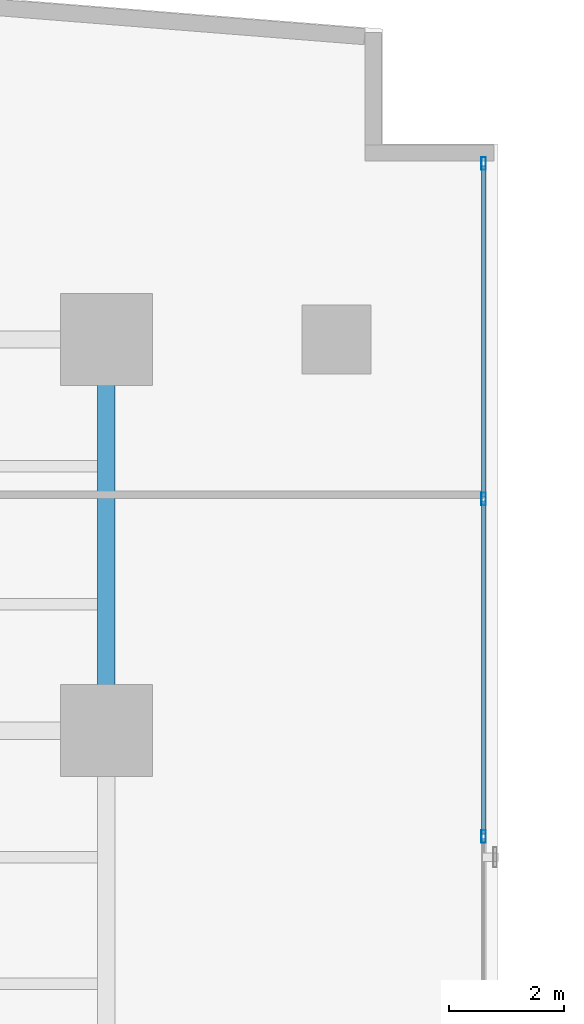
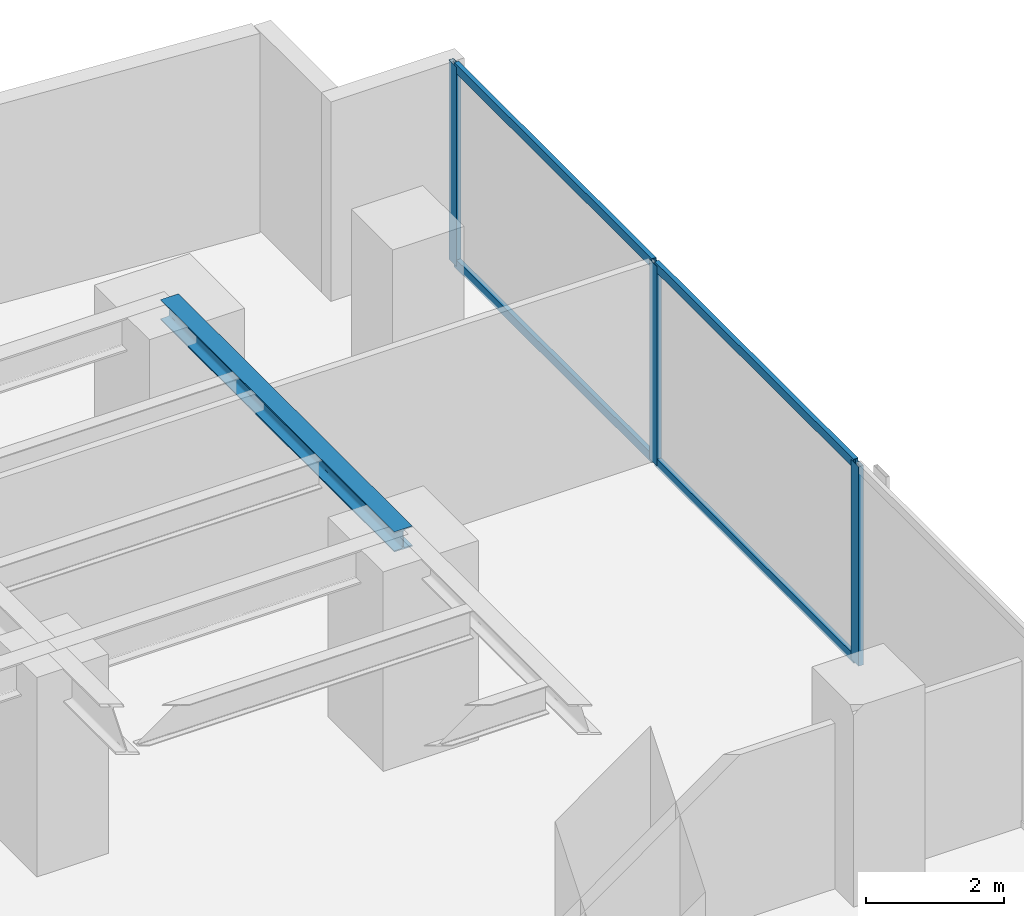
# One storey, part 19 of 31: 7 members, 1 beam, 1 element without a shape of its own.
"""IFC4 building model written with IfcOpenShell, lengths in metres."""

from ifc_helpers import new_model, si_unit, direction, frame, origin, origin_with_axes, origin_2d, place, context, subcontext, project, spatial, hollow_rectangle, i_section, extrude, source, transform, mapped, material, layer, layer_set, material_profile, profile_set, type_object, element, aggregate, save


model = new_model("IFC4")

# Units and contexts
model_context = context("Model", 3, precision=1e-05, world=origin(), true_north=direction((0.0, 1.0)))
body_context = subcontext(model_context, "Body", "Model", "MODEL_VIEW")
ifc_project = project(units=[si_unit("LENGTHUNIT", "METRE"), si_unit("AREAUNIT", "SQUARE_METRE"), si_unit("VOLUMEUNIT", "CUBIC_METRE"), si_unit("PLANEANGLEUNIT", "RADIAN"), si_unit("MASSUNIT", "GRAM", prefix="KILO")], contexts=[model_context])

# Site, building, storey
site_placement = place(None, origin())
site = spatial("IfcSite", under=ifc_project, at=site_placement, CompositionType="ELEMENT")
building_placement = place(site_placement, origin())
building = spatial("IfcBuilding", under=site, at=building_placement, Name="Kolvaren Waterfront Exchange", CompositionType="ELEMENT")
storey_placement = place(building_placement, frame((0.0, 0.0, 67.60009765625)))
storey = spatial("IfcBuildingStorey", under=building, at=storey_placement, Name="L17", CompositionType="ELEMENT", Elevation=67.60009765625)

# Beam
ifc_material_1 = material(Name="Steel S355", Category="steel")
ifc_material_profile_1 = material_profile(ifc_material_1, i_section(OverallWidth=0.300048828125, OverallDepth=0.360107421875, WebThickness=0.012451171875, FlangeThickness=0.0224609375, FilletRadius=0.027099609375, at=origin_2d()), Name="HEB360")
ifc_profile_set_1 = profile_set([ifc_material_profile_1], Name="Steel S355")
beam_type = type_object("IfcBeamType", Name="STR-BM-HEB360", PredefinedType="SPANDREL", material=ifc_profile_set_1)
beam_placement = place(storey_placement, frame((18.800048828125, 37.800048828125, 3.35986328125), z_axis=(0.0, 1.0, 0.0), x_axis=(-1.0, 0.0, 0.0)))
element("IfcBeam", 1, at=beam_placement, inside=storey, type_object=beam_type, Name="L17 north-arm edge beam 3", PredefinedType="SPANDREL", context=body_context, shape_type="SweptSolid", body=[
    extrude(i_section(OverallWidth=0.300048828125, OverallDepth=0.360107421875, WebThickness=0.012451171875, FlangeThickness=0.0224609375, FilletRadius=0.027099609375, at=origin_2d()), origin(), (0.0, 0.0, 1.0), 6.800048828125),
])

# Curtain wall, members
ifc_material_2 = material(Name="Anodised bronze aluminium 6063-T6", Category="aluminium")
ifc_layer = layer(ifc_material_2, 0.219970703125, Name="Anodised bronze aluminium 6063-T6")
ifc_layer_set = layer_set([ifc_layer], Name="Anodised bronze aluminium 6063-T6")
curtain_wall_type = type_object("IfcCurtainWallType", Name="ARC-CW-SYS1", PredefinedType="USERDEFINED", material=ifc_layer_set)
curtain_wall_placement = place(storey_placement, origin())
curtain_wall = element("IfcCurtainWall", 2, at=curtain_wall_placement, inside=storey, type_object=curtain_wall_type, Name="L17 stick curtain wall CW1 (CW-L17-NE)", ObjectType="STICK CURTAIN WALL", PredefinedType="USERDEFINED")
ifc_material_3 = material(Name="Anodised aluminium 6063-T6", Category="aluminium")
ifc_material_profile_2 = material_profile(ifc_material_3, hollow_rectangle(XDim=0.080078125, YDim=0.219970703125, WallThickness=0.0048828125, at=origin_2d()), Name="ALU-MUL-220x80x5")
ifc_profile_set_2 = profile_set([ifc_material_profile_2], Name="Anodised aluminium 6063-T6")
member_type_1 = type_object("IfcMemberType", Name="ARC-CWM-220", PredefinedType="MULLION", material=ifc_profile_set_2)
shared_shape_1 = source(origin_with_axes(), body_context, "Body", "SweptSolid", [
    extrude(hollow_rectangle(XDim=0.080078125, YDim=0.219970703125, WallThickness=0.0048828125, at=origin_2d()), origin(), (0.0, 0.0, 1.0), 3.539794921875),
])
member_1_placement = place(storey_placement, frame((25.360107421875, 35.9599609375, 0.0), z_axis=(0.0, 0.0, 1.0), x_axis=(-1.0, 0.0, 0.0)))
member_1 = element("IfcMember", 3, at=member_1_placement, type_object=member_type_1, Name="CW1 mullion 2", PredefinedType="MULLION", context=body_context, shape_type="MappedRepresentation", body=[
    mapped(shared_shape_1, transform((0.0, 0.0, 0.0), x_axis=(1.0, 0.0, 0.0), y_axis=(0.0, 1.0, 0.0), z_axis=(0.0, 0.0, 1.0), scale=1.0)),
])
member_2_placement = place(storey_placement, frame((25.360107421875, 41.830078125, 0.0), z_axis=(0.0, 0.0, 1.0), x_axis=(-1.0, 0.0, 0.0)))
member_2 = element("IfcMember", 4, at=member_2_placement, type_object=member_type_1, Name="CW1 mullion 3", PredefinedType="MULLION", context=body_context, shape_type="MappedRepresentation", body=[
    mapped(shared_shape_1, transform((0.0, 0.0, 0.0), x_axis=(1.0, 0.0, 0.0), y_axis=(0.0, 1.0, 0.0), z_axis=(0.0, 0.0, 1.0), scale=1.0)),
])
member_3_placement = place(storey_placement, frame((25.360107421875, 47.659912109375, 0.0), z_axis=(0.0, 0.0, 1.0), x_axis=(-1.0, 0.0, 0.0)))
member_3 = element("IfcMember", 5, at=member_3_placement, type_object=member_type_1, Name="CW1 mullion 4", PredefinedType="MULLION", context=body_context, shape_type="MappedRepresentation", body=[
    mapped(shared_shape_1, transform((0.0, 0.0, 0.0), x_axis=(1.0, 0.0, 0.0), y_axis=(0.0, 1.0, 0.0), z_axis=(0.0, 0.0, 1.0), scale=1.0)),
])
ifc_material_profile_3 = material_profile(ifc_material_3, hollow_rectangle(XDim=0.074951171875, YDim=0.159912109375, WallThickness=0.00439453125, at=origin_2d()), Name="ALU-TRN-160x75x4.5")
ifc_profile_set_3 = profile_set([ifc_material_profile_3], Name="Anodised aluminium 6063-T6")
member_type_2 = type_object("IfcMemberType", Name="ARC-CWT-160", PredefinedType="USERDEFINED", material=ifc_profile_set_3)
shared_shape_2 = source(origin_with_axes(), body_context, "Body", "SweptSolid", [
    extrude(hollow_rectangle(XDim=0.074951171875, YDim=0.159912109375, WallThickness=0.00439453125, at=origin_2d()), origin(), (0.0, 0.0, 1.0), 5.75),
])
member_4_placement = place(storey_placement, frame((25.360107421875, 41.8701171875, 0.037353515625), z_axis=(0.0, 1.0, 0.0), x_axis=(-1.0, 0.0, 0.0)))
member_4 = element("IfcMember", 6, at=member_4_placement, type_object=member_type_2, Name="CW1 transom 3.1", ObjectType="TRANSOM", PredefinedType="USERDEFINED", context=body_context, shape_type="MappedRepresentation", body=[
    mapped(shared_shape_2, transform((0.0, 0.0, 0.0), x_axis=(1.0, 0.0, 0.0), y_axis=(0.0, 1.0, 0.0), z_axis=(0.0, 0.0, 1.0), scale=1.0)),
])
member_5_placement = place(storey_placement, frame((25.360107421875, 41.8701171875, 3.50244140625), z_axis=(0.0, 1.0, 0.0), x_axis=(-1.0, 0.0, 0.0)))
member_5 = element("IfcMember", 7, at=member_5_placement, type_object=member_type_2, Name="CW1 transom 3.2", ObjectType="TRANSOM", PredefinedType="USERDEFINED", context=body_context, shape_type="MappedRepresentation", body=[
    mapped(shared_shape_2, transform((0.0, 0.0, 0.0), x_axis=(1.0, 0.0, 0.0), y_axis=(0.0, 1.0, 0.0), z_axis=(0.0, 0.0, 1.0), scale=1.0)),
])
shared_shape_3 = source(origin_with_axes(), body_context, "Body", "SweptSolid", [
    extrude(hollow_rectangle(XDim=0.074951171875, YDim=0.159912109375, WallThickness=0.00439453125, at=origin_2d()), origin(), (0.0, 0.0, 1.0), 5.7900390625),
])
member_6_placement = place(storey_placement, frame((25.360107421875, 36.0, 0.037353515625), z_axis=(0.0, 1.0, 0.0), x_axis=(-1.0, 0.0, 0.0)))
member_6 = element("IfcMember", 8, at=member_6_placement, type_object=member_type_2, Name="CW1 transom 2.1", ObjectType="TRANSOM", PredefinedType="USERDEFINED", context=body_context, shape_type="MappedRepresentation", body=[
    mapped(shared_shape_3, transform((0.0, 0.0, 0.0), x_axis=(1.0, 0.0, 0.0), y_axis=(0.0, 1.0, 0.0), z_axis=(0.0, 0.0, 1.0), scale=1.0)),
])
member_7_placement = place(storey_placement, frame((25.360107421875, 36.0, 3.50244140625), z_axis=(0.0, 1.0, 0.0), x_axis=(-1.0, 0.0, 0.0)))
member_7 = element("IfcMember", 9, at=member_7_placement, type_object=member_type_2, Name="CW1 transom 2.2", ObjectType="TRANSOM", PredefinedType="USERDEFINED", context=body_context, shape_type="MappedRepresentation", body=[
    mapped(shared_shape_3, transform((0.0, 0.0, 0.0), x_axis=(1.0, 0.0, 0.0), y_axis=(0.0, 1.0, 0.0), z_axis=(0.0, 0.0, 1.0), scale=1.0)),
])
aggregate(curtain_wall, [member_1, member_2, member_3, member_6, member_7, member_4, member_5])

save(model, "model.ifc")
